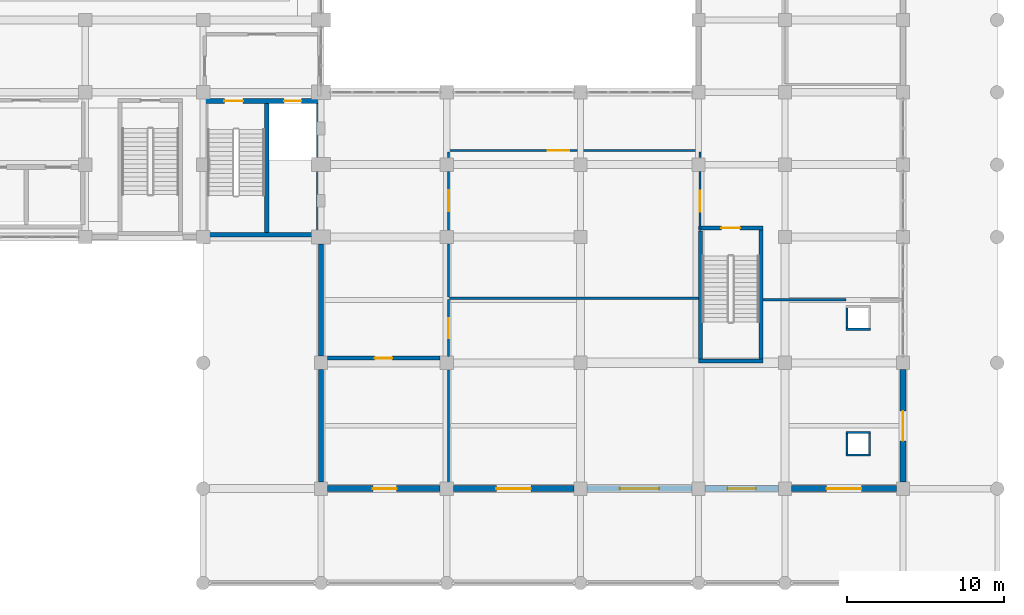
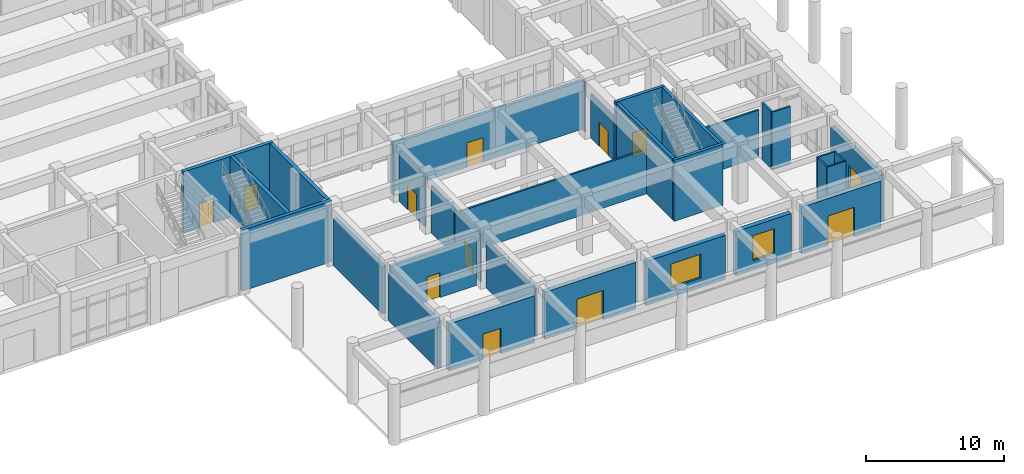
# One storey, part 68 of 84: 33 walls, 12 doors, 2 windows, 14 openings.
"""IFC4 building model written with IfcOpenShell, lengths in metres."""

from ifc_helpers import new_model, si_unit, direction, frame, frame_2d, origin, place, context, subcontext, project, spatial, rectangle, extrude, material, layer, layer_set, type_object, element, fill, save


model = new_model("IFC4")

# Units and contexts
model_context = context("Model", 3, precision=1e-05, world=origin(), true_north=direction((0.0, 1.0)))
body_context = subcontext(model_context, "Body", "Model", "MODEL_VIEW")
ifc_project = project(units=[si_unit("LENGTHUNIT", "METRE"), si_unit("AREAUNIT", "SQUARE_METRE"), si_unit("VOLUMEUNIT", "CUBIC_METRE"), si_unit("PLANEANGLEUNIT", "RADIAN"), si_unit("MASSUNIT", "GRAM", prefix="KILO")], contexts=[model_context])

# Site, building, storey
site_placement = place(None, origin())
site = spatial("IfcSite", under=ifc_project, at=site_placement, CompositionType="ELEMENT")
building_placement = place(site_placement, origin())
building = spatial("IfcBuilding", under=site, at=building_placement, Name="Muzn Square Opera House", CompositionType="ELEMENT")
storey_placement = place(building_placement, origin())
storey = spatial("IfcBuildingStorey", under=building, at=storey_placement, Name="L00", CompositionType="ELEMENT", Elevation=0.0)

# Walls
ifc_material_1 = material(Name="Concrete C45/55", Category="concrete")
ifc_layer_1 = layer(ifc_material_1, 0.25, Name="Concrete C45/55", Category="concrete")
ifc_layer_set_1 = layer_set([ifc_layer_1], Name="Concrete C45/55")
wall_type_1 = type_object("IfcWallType", Name="Aux Stair Enclosure Wall 250mm", PredefinedType="SHEAR", material=ifc_layer_set_1)
wall_1_placement = place(storey_placement, frame((157.0, 14.125, 0.0), z_axis=(0.0, 0.0, 1.0), x_axis=(1.0, 0.0, 0.0)))
element("IfcWall", 1, at=wall_1_placement, inside=storey, type_object=wall_type_1, Name="Escape Stair ST-8 Wall S L00", PredefinedType="SHEAR", context=body_context, shape_type="SweptSolid", body=[
    extrude(rectangle(XDim=4.10009765625, YDim=0.25, at=frame_2d((2.050048828125, 0.0))), origin(), (0.0, 0.0, 1.0), 5.39990234375),
])
wall_2_placement = place(storey_placement, frame((160.97509765625, 14.25, 0.0), z_axis=(0.0, 0.0, 1.0), x_axis=(0.0, 1.0, 0.0)))
element("IfcWall", 2, at=wall_2_placement, inside=storey, type_object=wall_type_1, Name="Escape Stair ST-8 Wall E L00", PredefinedType="SHEAR", context=body_context, shape_type="SweptSolid", body=[
    extrude(rectangle(XDim=8.199951171875, YDim=0.25, at=frame_2d((4.10009765625, 0.0))), origin(), (0.0, 0.0, 1.0), 5.39990234375),
])

# Wall, opening, door
wall_3_placement = place(storey_placement, frame((157.0, 22.574951171875, 0.0), z_axis=(0.0, 0.0, 1.0), x_axis=(1.0, 0.0, 0.0)))
wall_3 = element("IfcWall", 3, at=wall_3_placement, inside=storey, type_object=wall_type_1, Name="Escape Stair ST-8 Wall N L00", PredefinedType="SHEAR", context=body_context, shape_type="SweptSolid", body=[
    extrude(rectangle(XDim=4.10009765625, YDim=0.25, at=frame_2d((2.050048828125, 0.0))), origin(), (0.0, 0.0, 1.0), 5.39990234375),
])
opening_1_placement = place(wall_3_placement, frame((1.449951171875, 0.0, 0.0)))
opening_1 = element("IfcOpeningElement", 4, at=opening_1_placement, cuts=wall_3, Name="Opening DR-ST12", PredefinedType="OPENING", context=body_context, shape_type="SweptSolid", body=[
    extrude(rectangle(XDim=1.199951171875, YDim=2.14990234375, at=frame_2d((0.60009765625, 1.074951171875))), frame((0.0, 0.135009765625, 0.0), z_axis=(0.0, -1.0, 0.0), x_axis=(1.0, 0.0, 0.0)), (0.0, 0.0, 1.0), 0.27001953125),
])
ifc_material_2 = material(Name="Galvanised painted steel leaf", Category="metal")
door_type_1 = type_object("IfcDoorType", Name="Core Stair Fire Door 1200x2150", OperationType="NOTDEFINED", PredefinedType="DOOR", material=ifc_material_2)
door_1_placement = place(opening_1_placement, origin())
door_1 = element("IfcDoor", 5, at=door_1_placement, inside=storey, type_object=door_type_1, Name="Escape Stair ST-8 Door L00", OperationType="SINGLE_SWING_LEFT", OverallHeight=2.14990234375, OverallWidth=1.199951171875, PredefinedType="DOOR", context=body_context, shape_type="SweptSolid", body=[
    extrude(rectangle(XDim=1.199951171875, YDim=2.14990234375, at=frame_2d((0.60009765625, 1.074951171875))), frame((0.0, 0.02490234375, 0.0), z_axis=(0.0, -1.0, 0.0), x_axis=(1.0, 0.0, 0.0)), (0.0, 0.0, 1.0), 0.050048828125),
])
fill(opening_1, door_1)

# Walls
wall_4_placement = place(storey_placement, frame((157.125, 14.25, 0.0), z_axis=(0.0, 0.0, 1.0), x_axis=(0.0, 1.0, 0.0)))
element("IfcWall", 6, at=wall_4_placement, inside=storey, type_object=wall_type_1, Name="Escape Stair ST-8 Wall W L00", PredefinedType="SHEAR", context=body_context, shape_type="SweptSolid", body=[
    extrude(rectangle(XDim=8.1298828125, YDim=0.25, at=frame_2d((4.06494140625, 0.0))), origin(), (0.0, 0.0, 1.0), 5.39990234375),
])
ifc_layer_2 = layer(ifc_material_1, 0.300048828125, Name="Concrete C45/55", Category="concrete")
ifc_layer_set_2 = layer_set([ifc_layer_2], Name="Concrete C45/55")
wall_type_2 = type_object("IfcWallType", Name="Core Shear Wall 300mm", PredefinedType="SHEAR", material=ifc_layer_set_2)
wall_5_placement = place(storey_placement, frame((125.5, 22.14990234375, 0.0), z_axis=(0.0, 0.0, 1.0), x_axis=(1.0, 0.0, 0.0)))
element("IfcWall", 7, at=wall_5_placement, inside=storey, type_object=wall_type_2, Name="Core C4 Shear Wall SW-C4-L00-S", PredefinedType="SHEAR", context=body_context, shape_type="SweptSolid", body=[
    extrude(rectangle(XDim=7.5, YDim=0.300048828125, at=frame_2d((3.75, 0.0))), origin(), (0.0, 0.0, 1.0), 5.39990234375),
])
for number, where, z_axis, x_axis, name in (
    (8, (132.85009765625, 22.300048828125, 0.0), (0.0, 0.0, 1.0), (0.0, 1.0, 0.0), "Core C4 Shear Wall SW-C4-L00-E"),
    (9, (129.550048828125, 22.300048828125, 0.0), (0.0, 0.0, 1.0), (0.0, 1.0, 0.0), "Core C4 Shear Wall SW-C4-L00-DIV"),
):
    element("IfcWall", number, at=place(storey_placement, frame(where, z_axis=z_axis, x_axis=x_axis)), inside=storey, type_object=wall_type_2, Name=name, PredefinedType="SHEAR", context=body_context, shape_type="SweptSolid", body=[
        extrude(rectangle(XDim=8.199951171875, YDim=0.300048828125, at=frame_2d((4.10009765625, 0.0))), origin(), (0.0, 0.0, 1.0), 5.39990234375),
    ])

# Wall, openings, doors
wall_6_placement = place(storey_placement, frame((125.5, 30.64990234375, 0.0), z_axis=(0.0, 0.0, 1.0), x_axis=(1.0, 0.0, 0.0)))
wall_6 = element("IfcWall", 10, at=wall_6_placement, inside=storey, type_object=wall_type_2, Name="Core C4 Front Shear Wall L00", PredefinedType="SHEAR", context=body_context, shape_type="SweptSolid", body=[
    extrude(rectangle(XDim=7.5, YDim=0.300048828125, at=frame_2d((3.75, 0.0))), origin(), (0.0, 0.0, 1.0), 5.39990234375),
])
opening_2_placement = place(wall_6_placement, frame((1.35009765625, 0.0, 0.0)))
opening_2 = element("IfcOpeningElement", 11, at=opening_2_placement, cuts=wall_6, Name="Opening DR-ST12", PredefinedType="OPENING", context=body_context, shape_type="SweptSolid", body=[
    extrude(rectangle(XDim=1.199951171875, YDim=2.14990234375, at=frame_2d((0.60009765625, 1.074951171875))), frame((0.0, 0.159912109375, 0.0), z_axis=(0.0, -1.0, 0.0), x_axis=(1.0, 0.0, 0.0)), (0.0, 0.0, 1.0), 0.320068359375),
])
opening_3_placement = place(wall_6_placement, frame((5.14990234375, 0.0, 0.0)))
opening_3 = element("IfcOpeningElement", 12, at=opening_3_placement, cuts=wall_6, Name="Opening LD-01", PredefinedType="OPENING", context=body_context, shape_type="SweptSolid", body=[
    extrude(rectangle(XDim=1.10009765625, YDim=2.14990234375, at=frame_2d((0.550048828125, 1.074951171875))), frame((0.0, 0.159912109375, 0.0), z_axis=(0.0, -1.0, 0.0), x_axis=(1.0, 0.0, 0.0)), (0.0, 0.0, 1.0), 0.320068359375),
])
door_2_placement = place(opening_2_placement, origin())
door_2 = element("IfcDoor", 13, at=door_2_placement, inside=storey, type_object=door_type_1, Name="Core C4 Stair Door L00", OperationType="SINGLE_SWING_LEFT", OverallHeight=2.14990234375, OverallWidth=1.199951171875, PredefinedType="DOOR", context=body_context, shape_type="SweptSolid", body=[
    extrude(rectangle(XDim=1.199951171875, YDim=2.14990234375, at=frame_2d((0.60009765625, 1.074951171875))), frame((0.0, 0.02490234375, 0.0), z_axis=(0.0, -1.0, 0.0), x_axis=(1.0, 0.0, 0.0)), (0.0, 0.0, 1.0), 0.050048828125),
])
fill(opening_2, door_2)
ifc_material_3 = material(Name="Brushed stainless steel", Category="metal")
door_type_2 = type_object("IfcDoorType", Name="Lift Landing Sliding Door 1100x2150", OperationType="SLIDING_TO_LEFT", PredefinedType="DOOR", material=ifc_material_3)
door_3_placement = place(opening_3_placement, origin())
door_3 = element("IfcDoor", 14, at=door_3_placement, inside=storey, type_object=door_type_2, Name="Lift PL-3 Sliding Landing Door L00", OperationType="SLIDING_TO_LEFT", OverallHeight=2.14990234375, OverallWidth=1.10009765625, PredefinedType="DOOR", context=body_context, shape_type="SweptSolid", body=[
    extrude(rectangle(XDim=1.10009765625, YDim=2.14990234375, at=frame_2d((0.550048828125, 1.074951171875))), frame((0.0, 0.02490234375, 0.0), z_axis=(0.0, -1.0, 0.0), x_axis=(1.0, 0.0, 0.0)), (0.0, 0.0, 1.0), 0.050048828125),
])
fill(opening_3, door_3)

# Walls
ifc_material_4 = material(Name="Concrete C40/50", Category="concrete")
ifc_layer_3 = layer(ifc_material_4, 0.340087890625, Name="Concrete C40/50", Category="concrete")
ifc_layer_set_3 = layer_set([ifc_layer_3], Name="Concrete C40/50")
wall_type_3 = type_object("IfcWallType", Name="Exterior Insulated Spandrel Wall 340mm", PredefinedType="SOLIDWALL", material=ifc_layer_set_3)
wall_7_placement = place(storey_placement, frame((133.0, 6.425048828125, 0.0), z_axis=(0.0, 0.0, 1.0), x_axis=(0.0, 1.0, 0.0)))
element("IfcWall", 15, at=wall_7_placement, inside=storey, type_object=wall_type_3, Name="Exterior Facade Wall EW-L00-129", PredefinedType="SOLIDWALL", context=body_context, shape_type="SweptSolid", body=[
    extrude(rectangle(XDim=7.14990234375, YDim=0.340087890625, at=frame_2d((3.574951171875, 0.0))), origin(), (0.0, 0.0, 1.0), 4.14990234375),
])
wall_8_placement = place(storey_placement, frame((133.0, 14.425048828125, 0.0), z_axis=(0.0, 0.0, 1.0), x_axis=(0.0, 1.0, 0.0)))
element("IfcWall", 16, at=wall_8_placement, inside=storey, type_object=wall_type_3, Name="Exterior Facade Wall EW-L00-130", PredefinedType="SOLIDWALL", context=body_context, shape_type="SweptSolid", body=[
    extrude(rectangle(XDim=7.125, YDim=0.340087890625, at=frame_2d((3.5625, 0.0))), origin(), (0.0, 0.0, 1.0), 4.14990234375),
])

# Wall, opening, door
ifc_layer_4 = layer(ifc_material_4, 0.3798828125, Name="Concrete C40/50", Category="concrete")
ifc_layer_set_4 = layer_set([ifc_layer_4], Name="Concrete C40/50")
wall_type_4 = type_object("IfcWallType", Name="Exterior Limestone Wall 380mm", PredefinedType="SOLIDWALL", material=ifc_layer_set_4)
wall_9_placement = place(storey_placement, frame((133.425048828125, 6.0, 0.0), z_axis=(0.0, 0.0, 1.0), x_axis=(1.0, 0.0, 0.0)))
wall_9 = element("IfcWall", 17, at=wall_9_placement, inside=storey, type_object=wall_type_4, Name="Exterior Facade Wall EW-L00-010", PredefinedType="SOLIDWALL", context=body_context, shape_type="SweptSolid", body=[
    extrude(rectangle(XDim=7.14990234375, YDim=0.3798828125, at=frame_2d((3.574951171875, 0.0))), origin(), (0.0, 0.0, 1.0), 4.14990234375),
])
opening_4_placement = place(wall_9_placement, frame((4.375, 0.0, 0.0), z_axis=(0.0, 0.0, 1.0), x_axis=(-1.0, 0.0, 0.0)))
opening_4 = element("IfcOpeningElement", 18, at=opening_4_placement, cuts=wall_9, Name="Opening DR-EX15", PredefinedType="OPENING", context=body_context, shape_type="SweptSolid", body=[
    extrude(rectangle(XDim=1.5, YDim=2.25, at=frame_2d((0.75, 1.125))), frame((0.0, 0.199951171875, 0.0), z_axis=(0.0, -1.0, 0.0), x_axis=(1.0, 0.0, 0.0)), (0.0, 0.0, 1.0), 0.39990234375),
])
ifc_material_5 = material(Name="Anodised bronze aluminium", Category="metal")
door_type_3 = type_object("IfcDoorType", Name="Backstage Pedestrian Exit Door 1500x2250", OperationType="NOTDEFINED", PredefinedType="DOOR", material=ifc_material_5)
door_4_placement = place(opening_4_placement, origin())
door_4 = element("IfcDoor", 19, at=door_4_placement, inside=storey, type_object=door_type_3, Name="Fire Command Centre Street Entrance and Exit Door", OperationType="SINGLE_SWING_LEFT", OverallHeight=2.25, OverallWidth=1.5, PredefinedType="DOOR", context=body_context, shape_type="SweptSolid", body=[
    extrude(rectangle(XDim=1.5, YDim=2.25, at=frame_2d((0.75, 1.125))), frame((0.0, 0.02490234375, 0.0), z_axis=(0.0, -1.0, 0.0), x_axis=(1.0, 0.0, 0.0)), (0.0, 0.0, 1.0), 0.050048828125),
])
fill(opening_4, door_4)

wall_10_placement = place(storey_placement, frame((141.425048828125, 6.0, 0.0), z_axis=(0.0, 0.0, 1.0), x_axis=(1.0, 0.0, 0.0)))
wall_10 = element("IfcWall", 20, at=wall_10_placement, inside=storey, type_object=wall_type_4, Name="Exterior Facade Wall EW-L00-011", PredefinedType="SOLIDWALL", context=body_context, shape_type="SweptSolid", body=[
    extrude(rectangle(XDim=7.64990234375, YDim=0.3798828125, at=frame_2d((3.824951171875, 0.0))), origin(), (0.0, 0.0, 1.0), 4.14990234375),
])
opening_5_placement = place(wall_10_placement, frame((4.925048828125, 0.0, 0.0), z_axis=(0.0, 0.0, 1.0), x_axis=(-1.0, 0.0, 0.0)))
opening_5 = element("IfcOpeningElement", 21, at=opening_5_placement, cuts=wall_10, Name="Opening DR-EX22", PredefinedType="OPENING", context=body_context, shape_type="SweptSolid", body=[
    extrude(rectangle(XDim=2.199951171875, YDim=2.60009765625, at=frame_2d((1.10009765625, 1.300048828125))), frame((0.0, 0.199951171875, 0.0), z_axis=(0.0, -1.0, 0.0), x_axis=(1.0, 0.0, 0.0)), (0.0, 0.0, 1.0), 0.39990234375),
])
door_type_4 = type_object("IfcDoorType", Name="Ceremonial Foyer Exit Door 2200x2600", OperationType="DOUBLE_DOOR_SINGLE_SWING", PredefinedType="DOOR", material=ifc_material_5)
door_5_placement = place(opening_5_placement, origin())
door_5 = element("IfcDoor", 22, at=door_5_placement, inside=storey, type_object=door_type_4, Name="South-East Square Final Exit Door E-SE1", OperationType="DOUBLE_DOOR_SINGLE_SWING", OverallHeight=2.60009765625, OverallWidth=2.199951171875, PredefinedType="DOOR", context=body_context, shape_type="SweptSolid", body=[
    extrude(rectangle(XDim=2.199951171875, YDim=2.60009765625, at=frame_2d((1.10009765625, 1.300048828125))), frame((0.0, 0.02490234375, 0.0), z_axis=(0.0, -1.0, 0.0), x_axis=(1.0, 0.0, 0.0)), (0.0, 0.0, 1.0), 0.050048828125),
])
fill(opening_5, door_5)

# Wall, opening, window
wall_11_placement = place(storey_placement, frame((149.925048828125, 6.0, 0.0), z_axis=(0.0, 0.0, 1.0), x_axis=(1.0, 0.0, 0.0)))
wall_11 = element("IfcWall", 23, at=wall_11_placement, inside=storey, type_object=wall_type_4, Name="Exterior Facade Wall EW-L00-012", PredefinedType="SOLIDWALL", context=body_context, shape_type="SweptSolid", body=[
    extrude(rectangle(XDim=6.64990234375, YDim=0.3798828125, at=frame_2d((3.324951171875, 0.0))), origin(), (0.0, 0.0, 1.0), 3.89990234375),
])
opening_6_placement = place(wall_11_placement, frame((2.074951171875, 0.0, 0.85009765625)))
opening_6 = element("IfcOpeningElement", 24, at=opening_6_placement, cuts=wall_11, Name="Opening WN-X2521", PredefinedType="OPENING", context=body_context, shape_type="SweptSolid", body=[
    extrude(rectangle(XDim=2.5, YDim=2.10009765625, at=frame_2d((1.25, 1.050048828125))), frame((0.0, 0.199951171875, 0.0), z_axis=(0.0, -1.0, 0.0), x_axis=(1.0, 0.0, 0.0)), (0.0, 0.0, 1.0), 0.39990234375),
])
ifc_material_6 = material(Name="Low-E laminated acoustic double glazing", Category="glass")
window_type_1 = type_object("IfcWindowType", Name="Box Office Window 2500x2100", PartitioningType="DOUBLE_PANEL_VERTICAL", PredefinedType="WINDOW", material=ifc_material_6)
window_1_placement = place(opening_6_placement, origin())
window_1 = element("IfcWindow", 25, at=window_1_placement, inside=storey, type_object=window_type_1, Name="Box Office Window 2500x2100 EW-L00-012-WN01", OverallHeight=2.10009765625, OverallWidth=2.5, PartitioningType="SINGLE_PANEL", PredefinedType="WINDOW", context=body_context, shape_type="SweptSolid", body=[
    extrude(rectangle(XDim=2.5, YDim=2.10009765625, at=frame_2d((1.25, 1.050048828125))), frame((0.0, 0.030029296875, 0.0), z_axis=(0.0, -1.0, 0.0), x_axis=(1.0, 0.0, 0.0)), (0.0, 0.0, 1.0), 0.06005859375),
])
fill(opening_6, window_1)

wall_12_placement = place(storey_placement, frame((157.425048828125, 6.0, 0.0), z_axis=(0.0, 0.0, 1.0), x_axis=(1.0, 0.0, 0.0)))
wall_12 = element("IfcWall", 26, at=wall_12_placement, inside=storey, type_object=wall_type_4, Name="Exterior Facade Wall EW-L00-013", PredefinedType="SOLIDWALL", context=body_context, shape_type="SweptSolid", body=[
    extrude(rectangle(XDim=4.64990234375, YDim=0.3798828125, at=frame_2d((2.324951171875, 0.0))), origin(), (0.0, 0.0, 1.0), 3.89990234375),
])
opening_7_placement = place(wall_12_placement, frame((1.425048828125, 0.0, 0.85009765625)))
opening_7 = element("IfcOpeningElement", 27, at=opening_7_placement, cuts=wall_12, Name="Opening WN-A1822", PredefinedType="OPENING", context=body_context, shape_type="SweptSolid", body=[
    extrude(rectangle(XDim=1.800048828125, YDim=2.199951171875, at=frame_2d((0.89990234375, 1.10009765625))), frame((0.0, 0.199951171875, 0.0), z_axis=(0.0, -1.0, 0.0), x_axis=(1.0, 0.0, 0.0)), (0.0, 0.0, 1.0), 0.39990234375),
])
window_type_2 = type_object("IfcWindowType", Name="Soloist Suite Window 1800x2200", PartitioningType="DOUBLE_PANEL_VERTICAL", PredefinedType="WINDOW", material=ifc_material_6)
window_2_placement = place(opening_7_placement, origin())
window_2 = element("IfcWindow", 28, at=window_2_placement, inside=storey, type_object=window_type_2, Name="Soloist Suite Window 1800x2200 EW-L00-013-WN01", OverallHeight=2.199951171875, OverallWidth=1.800048828125, PartitioningType="SINGLE_PANEL", PredefinedType="WINDOW", context=body_context, shape_type="SweptSolid", body=[
    extrude(rectangle(XDim=1.800048828125, YDim=2.199951171875, at=frame_2d((0.89990234375, 1.10009765625))), frame((0.0, 0.030029296875, 0.0), z_axis=(0.0, -1.0, 0.0), x_axis=(1.0, 0.0, 0.0)), (0.0, 0.0, 1.0), 0.06005859375),
])
fill(opening_7, window_2)

# Wall, opening, door
wall_13_placement = place(storey_placement, frame((162.925048828125, 6.0, 0.0), z_axis=(0.0, 0.0, 1.0), x_axis=(1.0, 0.0, 0.0)))
wall_13 = element("IfcWall", 29, at=wall_13_placement, inside=storey, type_object=wall_type_4, Name="Exterior Facade Wall EW-L00-014", PredefinedType="SOLIDWALL", context=body_context, shape_type="SweptSolid", body=[
    extrude(rectangle(XDim=6.64990234375, YDim=0.3798828125, at=frame_2d((3.324951171875, 0.0))), origin(), (0.0, 0.0, 1.0), 4.14990234375),
])
opening_8_placement = place(wall_13_placement, frame((4.425048828125, 0.0, 0.0), z_axis=(0.0, 0.0, 1.0), x_axis=(-1.0, 0.0, 0.0)))
opening_8 = element("IfcOpeningElement", 30, at=opening_8_placement, cuts=wall_13, Name="Opening DR-EX22", PredefinedType="OPENING", context=body_context, shape_type="SweptSolid", body=[
    extrude(rectangle(XDim=2.199951171875, YDim=2.60009765625, at=frame_2d((1.10009765625, 1.300048828125))), frame((0.0, 0.199951171875, 0.0), z_axis=(0.0, -1.0, 0.0), x_axis=(1.0, 0.0, 0.0)), (0.0, 0.0, 1.0), 0.39990234375),
])
door_6_placement = place(opening_8_placement, origin())
door_6 = element("IfcDoor", 31, at=door_6_placement, inside=storey, type_object=door_type_4, Name="South-East Square Final Exit Door E-SE4", OperationType="DOUBLE_DOOR_SINGLE_SWING", OverallHeight=2.60009765625, OverallWidth=2.199951171875, PredefinedType="DOOR", context=body_context, shape_type="SweptSolid", body=[
    extrude(rectangle(XDim=2.199951171875, YDim=2.60009765625, at=frame_2d((1.10009765625, 1.300048828125))), frame((0.0, 0.02490234375, 0.0), z_axis=(0.0, -1.0, 0.0), x_axis=(1.0, 0.0, 0.0)), (0.0, 0.0, 1.0), 0.050048828125),
])
fill(opening_8, door_6)

wall_14_placement = place(storey_placement, frame((170.0, 6.425048828125, 0.0), z_axis=(0.0, 0.0, 1.0), x_axis=(0.0, 1.0, 0.0)))
wall_14 = element("IfcWall", 32, at=wall_14_placement, inside=storey, type_object=wall_type_4, Name="Exterior Facade Wall EW-L00-073", PredefinedType="SOLIDWALL", context=body_context, shape_type="SweptSolid", body=[
    extrude(rectangle(XDim=7.14990234375, YDim=0.3798828125, at=frame_2d((3.574951171875, 0.0))), origin(), (0.0, 0.0, 1.0), 4.14990234375),
])
opening_9_placement = place(wall_14_placement, frame((4.5048828125, 0.0, 0.0), z_axis=(0.0, 0.0, 1.0), x_axis=(-1.0, 0.0, 0.0)))
opening_9 = element("IfcOpeningElement", 33, at=opening_9_placement, cuts=wall_14, Name="Opening DR-EX19", PredefinedType="OPENING", context=body_context, shape_type="SweptSolid", body=[
    extrude(rectangle(XDim=1.89990234375, YDim=2.35009765625, at=frame_2d((0.949951171875, 1.175048828125))), frame((0.0, 0.199951171875, 0.0), z_axis=(0.0, -1.0, 0.0), x_axis=(1.0, 0.0, 0.0)), (0.0, 0.0, 1.0), 0.39990234375),
])
door_type_5 = type_object("IfcDoorType", Name="Pedestrian Final Exit Door 1900x2350", OperationType="DOUBLE_DOOR_SINGLE_SWING", PredefinedType="DOOR", material=ifc_material_5)
door_7_placement = place(opening_9_placement, origin())
door_7 = element("IfcDoor", 34, at=door_7_placement, inside=storey, type_object=door_type_5, Name="East Boulevard Final Exit Door E-EB01", OperationType="DOUBLE_DOOR_SINGLE_SWING", OverallHeight=2.35009765625, OverallWidth=1.89990234375, PredefinedType="DOOR", context=body_context, shape_type="SweptSolid", body=[
    extrude(rectangle(XDim=1.89990234375, YDim=2.35009765625, at=frame_2d((0.949951171875, 1.175048828125))), frame((0.0, 0.02490234375, 0.0), z_axis=(0.0, -1.0, 0.0), x_axis=(1.0, 0.0, 0.0)), (0.0, 0.0, 1.0), 0.050048828125),
])
fill(opening_9, door_7)

ifc_layer_5 = layer(ifc_material_4, 0.260009765625, Name="Concrete C40/50", Category="concrete")
ifc_layer_set_5 = layer_set([ifc_layer_5], Name="Concrete C40/50")
wall_type_5 = type_object("IfcWallType", Name="Fire Command Wall 260mm", PredefinedType="SOLIDWALL", material=ifc_layer_set_5)
wall_15_placement = place(storey_placement, frame((133.39990234375, 14.300048828125, 0.0), z_axis=(0.0, 0.0, 1.0), x_axis=(1.0, 0.0, 0.0)))
wall_15 = element("IfcWall", 35, at=wall_15_placement, inside=storey, type_object=wall_type_5, Name="Interior Partition PW-L00-0066", PredefinedType="SOLIDWALL", context=body_context, shape_type="SweptSolid", body=[
    extrude(rectangle(XDim=7.155029296875, YDim=0.260009765625, at=frame_2d((3.57763671875, 0.0))), origin(), (0.0, 0.0, 1.0), 4.199951171875),
])
opening_10_placement = place(wall_15_placement, frame((3.027587890625, 0.0, 0.0)))
opening_10 = element("IfcOpeningElement", 36, at=opening_10_placement, cuts=wall_15, Name="Opening DR-FC11", PredefinedType="OPENING", context=body_context, shape_type="SweptSolid", body=[
    extrude(rectangle(XDim=1.10009765625, YDim=2.179931640625, at=frame_2d((0.550048828125, 1.08984375))), frame((0.0, 0.139892578125, 0.0), z_axis=(0.0, -1.0, 0.0), x_axis=(1.0, 0.0, 0.0)), (0.0, 0.0, 1.0), 0.280029296875),
])
door_type_6 = type_object("IfcDoorType", Name="Fire Command Rated Door 1100x2180", OperationType="NOTDEFINED", PredefinedType="DOOR", material=ifc_material_2)
door_8_placement = place(opening_10_placement, origin())
door_8 = element("IfcDoor", 37, at=door_8_placement, inside=storey, type_object=door_type_6, Name="Fire Command Centre Door DR-L00-0027", OperationType="SINGLE_SWING_LEFT", OverallHeight=2.179931640625, OverallWidth=1.10009765625, PredefinedType="DOOR", context=body_context, shape_type="SweptSolid", body=[
    extrude(rectangle(XDim=1.10009765625, YDim=2.179931640625, at=frame_2d((0.550048828125, 1.08984375))), frame((0.0, 0.02490234375, 0.0), z_axis=(0.0, -1.0, 0.0), x_axis=(1.0, 0.0, 0.0)), (0.0, 0.0, 1.0), 0.050048828125),
])
fill(opening_10, door_8)

# Walls
ifc_material_7 = material(Name="Acoustic gypsum stud partition", Category="gypsum")
ifc_layer_6 = layer(ifc_material_7, 0.14990234375, Name="Acoustic gypsum stud partition", Category="gypsum")
ifc_layer_set_6 = layer_set([ifc_layer_6], Name="Acoustic gypsum stud partition")
wall_type_6 = type_object("IfcWallType", Name="Office Acoustic Partition 150mm", PredefinedType="PARTITIONING", material=ifc_layer_set_6)
wall_16_placement = place(storey_placement, frame((141.179931640625, 18.10009765625, 0.0), z_axis=(0.0, 0.0, 1.0), x_axis=(1.0, 0.0, 0.0)))
element("IfcWall", 38, at=wall_16_placement, inside=storey, type_object=wall_type_6, Name="Interior Partition PW-L00-0057", PredefinedType="PARTITIONING", context=body_context, shape_type="SweptSolid", body=[
    extrude(rectangle(XDim=15.820068359375, YDim=0.14990234375, at=frame_2d((7.91015625, 0.0))), origin(), (0.0, 0.0, 1.0), 3.89990234375),
])
wall_17_placement = place(storey_placement, frame((141.10009765625, 6.39990234375, 0.0), z_axis=(0.0, 0.0, 1.0), x_axis=(0.0, 1.0, 0.0)))
element("IfcWall", 39, at=wall_17_placement, inside=storey, type_object=wall_type_6, Name="Interior Partition PW-L00-0058", PredefinedType="PARTITIONING", context=body_context, shape_type="SweptSolid", body=[
    extrude(rectangle(XDim=7.155029296875, YDim=0.14990234375, at=frame_2d((3.57763671875, 0.0))), origin(), (0.0, 0.0, 1.0), 4.199951171875),
])

# Wall, opening, door
wall_18_placement = place(storey_placement, frame((141.10009765625, 14.39990234375, 0.0), z_axis=(0.0, 0.0, 1.0), x_axis=(0.0, 1.0, 0.0)))
wall_18 = element("IfcWall", 40, at=wall_18_placement, inside=storey, type_object=wall_type_6, Name="Interior Partition PW-L00-0059", PredefinedType="PARTITIONING", context=body_context, shape_type="SweptSolid", body=[
    extrude(rectangle(XDim=3.64013671875, YDim=0.14990234375, at=frame_2d((1.820068359375, 0.0))), origin(), (0.0, 0.0, 1.0), 4.199951171875),
])
opening_11_placement = place(wall_18_placement, frame((1.175048828125, 0.0, 0.0)))
opening_11 = element("IfcOpeningElement", 41, at=opening_11_placement, cuts=wall_18, Name="Opening DR-BO12", PredefinedType="OPENING", context=body_context, shape_type="SweptSolid", body=[
    extrude(rectangle(XDim=1.25, YDim=2.14990234375, at=frame_2d((0.625, 1.074951171875))), frame((0.0, 0.0849609375, 0.0), z_axis=(0.0, -1.0, 0.0), x_axis=(1.0, 0.0, 0.0)), (0.0, 0.0, 1.0), 0.169921875),
])
door_type_7 = type_object("IfcDoorType", Name="Box Office Security Door 1250x2150", OperationType="NOTDEFINED", PredefinedType="DOOR", material=ifc_material_2)
door_9_placement = place(opening_11_placement, origin())
door_9 = element("IfcDoor", 42, at=door_9_placement, inside=storey, type_object=door_type_7, Name="Ticket Box Office Door DR-L00-0023", OperationType="SINGLE_SWING_LEFT", OverallHeight=2.14990234375, OverallWidth=1.25, PredefinedType="DOOR", context=body_context, shape_type="SweptSolid", body=[
    extrude(rectangle(XDim=1.25, YDim=2.14990234375, at=frame_2d((0.625, 1.074951171875))), frame((0.0, 0.02490234375, 0.0), z_axis=(0.0, -1.0, 0.0), x_axis=(1.0, 0.0, 0.0)), (0.0, 0.0, 1.0), 0.050048828125),
])
fill(opening_11, door_9)

wall_19_placement = place(storey_placement, frame((141.10009765625, 22.445068359375, 0.0), z_axis=(0.0, 0.0, 1.0), x_axis=(0.0, 1.0, 0.0)))
wall_19 = element("IfcWall", 43, at=wall_19_placement, inside=storey, type_object=wall_type_6, Name="Interior Partition PW-L00-0060", PredefinedType="PARTITIONING", context=body_context, shape_type="SweptSolid", body=[
    extrude(rectangle(XDim=3.7099609375, YDim=0.14990234375, at=frame_2d((1.85498046875, 0.0))), origin(), (0.0, 0.0, 1.0), 4.39990234375),
])
opening_12_placement = place(wall_19_placement, frame((1.179931640625, 0.0, 0.0)))
opening_12 = element("IfcOpeningElement", 44, at=opening_12_placement, cuts=wall_19, Name="Opening DR-CK13", PredefinedType="OPENING", context=body_context, shape_type="SweptSolid", body=[
    extrude(rectangle(XDim=1.35009765625, YDim=2.14990234375, at=frame_2d((0.675048828125, 1.074951171875))), frame((0.0, 0.0849609375, 0.0), z_axis=(0.0, -1.0, 0.0), x_axis=(1.0, 0.0, 0.0)), (0.0, 0.0, 1.0), 0.169921875),
])
ifc_material_8 = material(Name="Acoustic hardwood leaf", Category="wood")
door_type_8 = type_object("IfcDoorType", Name="Cloakroom Counter Door 1350x2150", OperationType="NOTDEFINED", PredefinedType="DOOR", material=ifc_material_8)
door_10_placement = place(opening_12_placement, origin())
door_10 = element("IfcDoor", 45, at=door_10_placement, inside=storey, type_object=door_type_8, Name="Grand Cloakroom Door DR-L00-0024", OperationType="SINGLE_SWING_RIGHT", OverallHeight=2.14990234375, OverallWidth=1.35009765625, PredefinedType="DOOR", context=body_context, shape_type="SweptSolid", body=[
    extrude(rectangle(XDim=1.35009765625, YDim=2.14990234375, at=frame_2d((0.675048828125, 1.074951171875))), frame((0.0, 0.02490234375, 0.0), z_axis=(0.0, -1.0, 0.0), x_axis=(1.0, 0.0, 0.0)), (0.0, 0.0, 1.0), 0.050048828125),
])
fill(opening_12, door_10)

# Wall
wall_20_placement = place(storey_placement, frame((141.10009765625, 27.044921875, 0.0), z_axis=(0.0, 0.0, 1.0), x_axis=(0.0, 1.0, 0.0)))
element("IfcWall", 46, at=wall_20_placement, inside=storey, type_object=wall_type_6, Name="Interior Partition PW-L00-0062", PredefinedType="PARTITIONING", context=body_context, shape_type="SweptSolid", body=[
    extrude(rectangle(XDim=0.375, YDim=0.14990234375, at=frame_2d((0.1875, 0.0))), origin(), (0.0, 0.0, 1.0), 4.39990234375),
])

# Wall, opening, door
wall_21_placement = place(storey_placement, frame((141.179931640625, 27.5, 0.0), z_axis=(0.0, 0.0, 1.0), x_axis=(1.0, 0.0, 0.0)))
wall_21 = element("IfcWall", 47, at=wall_21_placement, inside=storey, type_object=wall_type_6, Name="Interior Partition PW-L00-0063", PredefinedType="PARTITIONING", context=body_context, shape_type="SweptSolid", body=[
    extrude(rectangle(XDim=15.840087890625, YDim=0.14990234375, at=frame_2d((7.919921875, 0.0))), origin(), (0.0, 0.0, 1.0), 4.39990234375),
])
opening_13_placement = place(wall_21_placement, frame((6.2451171875, 0.0, 0.0)))
opening_13 = element("IfcOpeningElement", 48, at=opening_13_placement, cuts=wall_21, Name="Opening DR-CK13", PredefinedType="OPENING", context=body_context, shape_type="SweptSolid", body=[
    extrude(rectangle(XDim=1.35009765625, YDim=2.14990234375, at=frame_2d((0.675048828125, 1.074951171875))), frame((0.0, 0.0849609375, 0.0), z_axis=(0.0, -1.0, 0.0), x_axis=(1.0, 0.0, 0.0)), (0.0, 0.0, 1.0), 0.169921875),
])
door_11_placement = place(opening_13_placement, origin())
door_11 = element("IfcDoor", 49, at=door_11_placement, inside=storey, type_object=door_type_8, Name="Grand Cloakroom Door DR-L00-0025", OperationType="SINGLE_SWING_LEFT", OverallHeight=2.14990234375, OverallWidth=1.35009765625, PredefinedType="DOOR", context=body_context, shape_type="SweptSolid", body=[
    extrude(rectangle(XDim=1.35009765625, YDim=2.14990234375, at=frame_2d((0.675048828125, 1.074951171875))), frame((0.0, 0.02490234375, 0.0), z_axis=(0.0, -1.0, 0.0), x_axis=(1.0, 0.0, 0.0)), (0.0, 0.0, 1.0), 0.050048828125),
])
fill(opening_13, door_11)

wall_22_placement = place(storey_placement, frame((157.10009765625, 22.39990234375, 0.0), z_axis=(0.0, 0.0, 1.0), x_axis=(0.0, 1.0, 0.0)))
wall_22 = element("IfcWall", 50, at=wall_22_placement, inside=storey, type_object=wall_type_6, Name="Interior Partition PW-L00-0064", PredefinedType="PARTITIONING", context=body_context, shape_type="SweptSolid", body=[
    extrude(rectangle(XDim=3.755126953125, YDim=0.14990234375, at=frame_2d((1.87744140625, 0.0))), origin(), (0.0, 0.0, 1.0), 3.89990234375),
])
opening_14_placement = place(wall_22_placement, frame((1.202392578125, 0.0, 0.0)))
opening_14 = element("IfcOpeningElement", 51, at=opening_14_placement, cuts=wall_22, Name="Opening DR-CK13", PredefinedType="OPENING", context=body_context, shape_type="SweptSolid", body=[
    extrude(rectangle(XDim=1.35009765625, YDim=2.14990234375, at=frame_2d((0.675048828125, 1.074951171875))), frame((0.0, 0.0849609375, 0.0), z_axis=(0.0, -1.0, 0.0), x_axis=(1.0, 0.0, 0.0)), (0.0, 0.0, 1.0), 0.169921875),
])
door_12_placement = place(opening_14_placement, origin())
door_12 = element("IfcDoor", 52, at=door_12_placement, inside=storey, type_object=door_type_8, Name="Grand Cloakroom Door DR-L00-0026", OperationType="SINGLE_SWING_RIGHT", OverallHeight=2.14990234375, OverallWidth=1.35009765625, PredefinedType="DOOR", context=body_context, shape_type="SweptSolid", body=[
    extrude(rectangle(XDim=1.35009765625, YDim=2.14990234375, at=frame_2d((0.675048828125, 1.074951171875))), frame((0.0, 0.02490234375, 0.0), z_axis=(0.0, -1.0, 0.0), x_axis=(1.0, 0.0, 0.0)), (0.0, 0.0, 1.0), 0.050048828125),
])
fill(opening_14, door_12)

# Walls
wall_23_placement = place(storey_placement, frame((157.10009765625, 27.044921875, 0.0), z_axis=(0.0, 0.0, 1.0), x_axis=(0.0, 1.0, 0.0)))
element("IfcWall", 53, at=wall_23_placement, inside=storey, type_object=wall_type_6, Name="Interior Partition PW-L00-0065", PredefinedType="PARTITIONING", context=body_context, shape_type="SweptSolid", body=[
    extrude(rectangle(XDim=0.375, YDim=0.14990234375, at=frame_2d((0.1875, 0.0))), origin(), (0.0, 0.0, 1.0), 4.39990234375),
])
wall_24_placement = place(storey_placement, frame((161.10498046875, 18.0, 0.0), z_axis=(0.0, 0.0, 1.0), x_axis=(1.0, 0.0, 0.0)))
element("IfcWall", 54, at=wall_24_placement, inside=storey, type_object=wall_type_6, Name="Room Enclosure Partition PW-L00-0115", PredefinedType="PARTITIONING", context=body_context, shape_type="SweptSolid", body=[
    extrude(rectangle(XDim=5.26513671875, YDim=0.14990234375, at=frame_2d((2.632568359375, 0.0))), origin(), (0.0, 0.0, 1.0), 4.199951171875),
])
wall_25_placement = place(storey_placement, frame((141.10009765625, 18.195068359375, 0.0), z_axis=(0.0, 0.0, 1.0), x_axis=(0.0, 1.0, 0.0)))
element("IfcWall", 55, at=wall_25_placement, inside=storey, type_object=wall_type_6, Name="Interior Partition PW-L00-0061", PredefinedType="PARTITIONING", context=body_context, shape_type="SweptSolid", body=[
    extrude(rectangle(XDim=3.35986328125, YDim=0.14990234375, at=frame_2d((1.679931640625, 0.0))), origin(), (0.0, 0.0, 1.0), 4.199951171875),
])
ifc_layer_7 = layer(ifc_material_7, 0.1298828125, Name="Acoustic gypsum stud partition", Category="gypsum")
ifc_layer_set_7 = layer_set([ifc_layer_7], Name="Acoustic gypsum stud partition")
wall_type_7 = type_object("IfcWallType", Name="Service Closet Partition 130mm", PredefinedType="PARTITIONING", material=ifc_layer_set_7)
for number, where, z_axis, x_axis, name in (
    (56, (166.3701171875, 8.135009765625, 0.0), (0.0, 0.0, 1.0), (1.0, 0.0, 0.0), "MEP Riser Shaft Wall RSR-ES L00-S"),
    (57, (166.3701171875, 9.56494140625, 0.0), (0.0, 0.0, 1.0), (1.0, 0.0, 0.0), "MEP Riser Shaft Wall RSR-ES L00-N"),
):
    element("IfcWall", number, at=place(storey_placement, frame(where, z_axis=z_axis, x_axis=x_axis)), inside=storey, type_object=wall_type_7, Name=name, PredefinedType="PARTITIONING", context=body_context, shape_type="SweptSolid", body=[
        extrude(rectangle(XDim=1.559814453125, YDim=0.1298828125, at=frame_2d((0.77978515625, 0.0))), origin(), (0.0, 0.0, 1.0), 5.10009765625),
    ])
for number, where, z_axis, x_axis, name in (
    (58, (166.43505859375, 8.199951171875, 0.0), (0.0, 0.0, 1.0), (0.0, 1.0, 0.0), "MEP Riser Shaft Wall RSR-ES L00-W"),
    (59, (167.864990234375, 8.199951171875, 0.0), (0.0, 0.0, 1.0), (0.0, 1.0, 0.0), "MEP Riser Shaft Wall RSR-ES L00-E"),
):
    element("IfcWall", number, at=place(storey_placement, frame(where, z_axis=z_axis, x_axis=x_axis)), inside=storey, type_object=wall_type_7, Name=name, PredefinedType="PARTITIONING", context=body_context, shape_type="SweptSolid", body=[
        extrude(rectangle(XDim=1.300048828125, YDim=0.1298828125, at=frame_2d((0.64990234375, 0.0))), origin(), (0.0, 0.0, 1.0), 5.10009765625),
    ])
wall_26_placement = place(storey_placement, frame((166.3701171875, 16.135009765625, 0.0), z_axis=(0.0, 0.0, 1.0), x_axis=(1.0, 0.0, 0.0)))
element("IfcWall", 60, at=wall_26_placement, inside=storey, type_object=wall_type_7, Name="MEP Riser Shaft Wall RSR-EN L00-S", PredefinedType="PARTITIONING", context=body_context, shape_type="SweptSolid", body=[
    extrude(rectangle(XDim=1.559814453125, YDim=0.1298828125, at=frame_2d((0.77978515625, 0.0))), origin(), (0.0, 0.0, 1.0), 5.10009765625),
])
wall_27_placement = place(storey_placement, frame((166.43505859375, 16.199951171875, 0.0), z_axis=(0.0, 0.0, 1.0), x_axis=(0.0, 1.0, 0.0)))
element("IfcWall", 61, at=wall_27_placement, inside=storey, type_object=wall_type_7, Name="MEP Riser Shaft Wall RSR-EN L00-W", PredefinedType="PARTITIONING", context=body_context, shape_type="SweptSolid", body=[
    extrude(rectangle(XDim=1.300048828125, YDim=0.1298828125, at=frame_2d((0.64990234375, 0.0))), origin(), (0.0, 0.0, 1.0), 5.10009765625),
])

save(model, "model.ifc")
